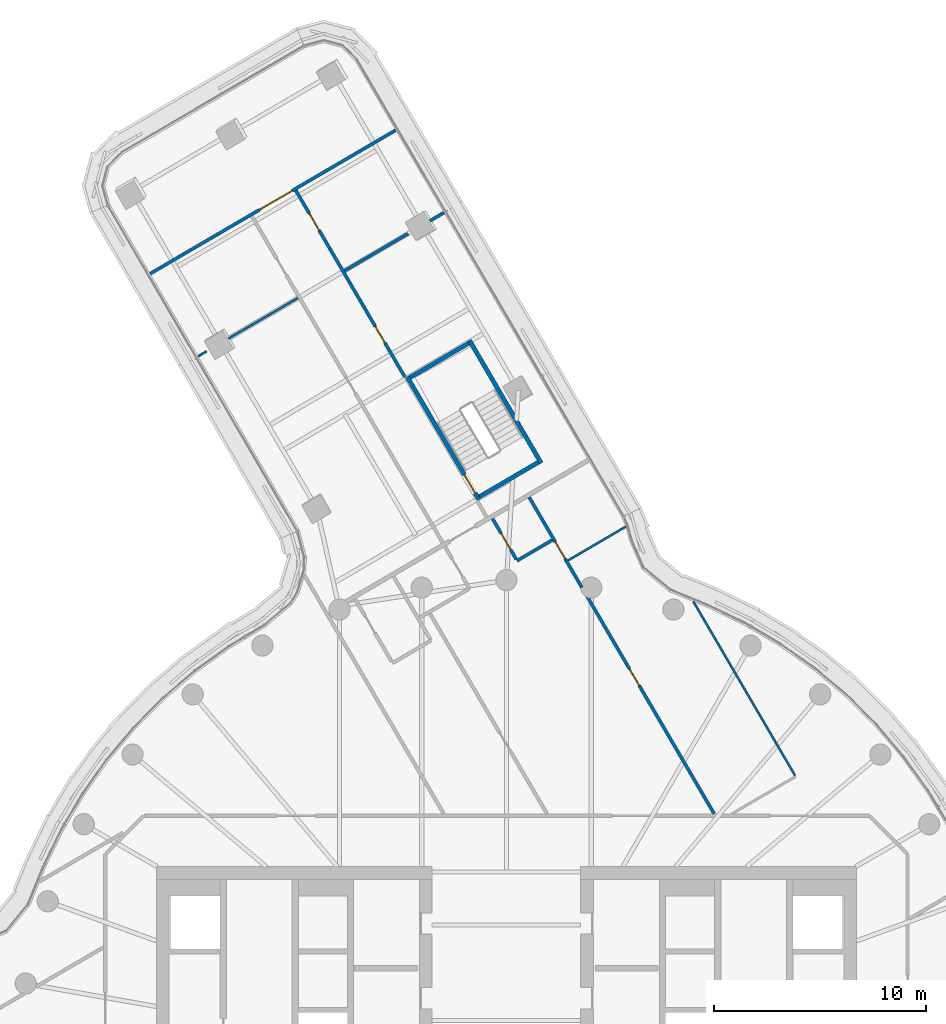
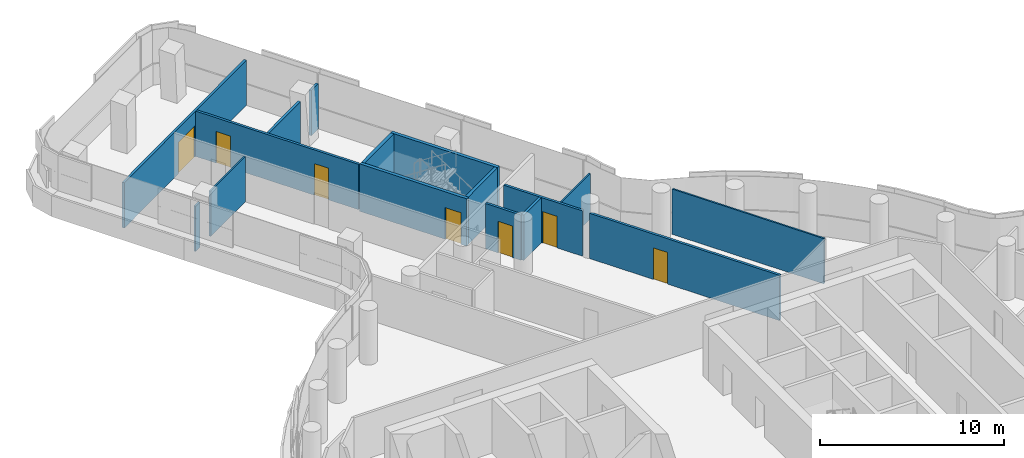
# One storey, part 25 of 35: 16 walls, 7 doors, 7 openings.
"""IFC4 building model written with IfcOpenShell, lengths in metres."""

from ifc_helpers import new_model, si_unit, direction, frame, frame_2d, origin, place, context, subcontext, project, spatial, polyline, rectangle, outline, extrude, material, layer, layer_set, type_object, element, fill, save


model = new_model("IFC4")

# Units and contexts
model_context = context("Model", 3, precision=1e-05, world=origin(), true_north=direction((0.0, 1.0)))
body_context = subcontext(model_context, "Body", "Model", "MODEL_VIEW")
ifc_project = project(units=[si_unit("LENGTHUNIT", "METRE"), si_unit("AREAUNIT", "SQUARE_METRE"), si_unit("VOLUMEUNIT", "CUBIC_METRE"), si_unit("PLANEANGLEUNIT", "RADIAN"), si_unit("MASSUNIT", "GRAM", prefix="KILO")], contexts=[model_context])

# Site, building, storey
site_placement = place(None, origin())
site = spatial("IfcSite", under=ifc_project, at=site_placement, CompositionType="ELEMENT")
building_placement = place(site_placement, origin())
building = spatial("IfcBuilding", under=site, at=building_placement, Name="Tamarind Cross Interchange Tower", CompositionType="ELEMENT")
storey_placement = place(building_placement, frame((0.0, 0.0, 144.25)))
storey = spatial("IfcBuildingStorey", under=building, at=storey_placement, Name="L35", CompositionType="ELEMENT", Elevation=144.25)

# Walls
ifc_material_1 = material(Name="Gypsum board partition on steel studs", Category="steel")
ifc_layer_1 = layer(ifc_material_1, 0.10009765625)
ifc_layer_set_1 = layer_set([ifc_layer_1], Name="Gypsum board partition on steel studs")
wall_type_1 = type_object("IfcWallType", Name="Partition 100 mm EI 90", PredefinedType="PARTITIONING", material=ifc_layer_set_1)
wall_1_placement = place(storey_placement, frame((8.806884765625, 21.99267578125, 0.0), z_axis=(0.0, 0.0, 1.0), x_axis=(0.50451801346, -0.863401166373, 0.0)))
element("IfcWall", 1, at=wall_1_placement, inside=storey, type_object=wall_type_1, Name="Partition L35-029", PredefinedType="PARTITIONING", context=body_context, shape_type="SweptSolid", body=[
    extrude(rectangle(XDim=9.5, YDim=0.10009765625, at=frame_2d((4.75, 0.0))), origin(), (0.0, 0.0, 1.0), 3.010009765625),
])
wall_2_placement = place(storey_placement, frame((-14.527099609375, 33.548583984375, 0.0), z_axis=(0.0, 0.0, 1.0), x_axis=(0.863491436222, 0.504363499444, 0.0)))
element("IfcWall", 2, at=wall_2_placement, inside=storey, type_object=wall_type_1, Name="Partition L35-048", PredefinedType="PARTITIONING", context=body_context, shape_type="SweptSolid", body=[
    extrude(rectangle(XDim=0.462158203125, YDim=0.10009765625, at=frame_2d((0.23095703125, 0.0))), origin(), (0.0, 0.0, 1.0), 3.010009765625),
])
wall_3_placement = place(storey_placement, frame((-13.098388671875, 34.38330078125, 0.0), z_axis=(0.0, 0.0, 1.0), x_axis=(0.863470053111, 0.504400106443, 0.0)))
element("IfcWall", 3, at=wall_3_placement, inside=storey, type_object=wall_type_1, Name="Partition L35-049", PredefinedType="PARTITIONING", context=body_context, shape_type="SweptSolid", body=[
    extrude(rectangle(XDim=3.78662109375, YDim=0.10009765625, at=frame_2d((1.893310546875, 0.0))), origin(), (0.0, 0.0, 1.0), 3.010009765625),
])
wall_4_placement = place(storey_placement, frame((2.8984375, 23.927978515625, 0.0), z_axis=(0.0, 0.0, 1.0), x_axis=(0.863257448542, 0.504763882955, 0.0)))
element("IfcWall", 4, at=wall_4_placement, inside=storey, type_object=wall_type_1, Name="Partition L35-055", PredefinedType="PARTITIONING", context=body_context, shape_type="SweptSolid", body=[
    extrude(rectangle(XDim=3.161376953125, YDim=0.10009765625, at=frame_2d((1.58056640625, 0.0))), origin(), (0.0, 0.0, 1.0), 3.010009765625),
])

# Wall, openings, doors
ifc_layer_2 = layer(ifc_material_1, 0.14990234375)
ifc_layer_set_2 = layer_set([ifc_layer_2], Name="Gypsum board partition on steel studs")
wall_type_2 = type_object("IfcWallType", Name="Partition 150 mm EI 120", PredefinedType="PARTITIONING", material=ifc_layer_set_2)
wall_5_placement = place(storey_placement, frame((-9.92431640625, 41.36328125, 0.0), z_axis=(0.0, 0.0, 1.0), x_axis=(0.504499799147, -0.863411809429, 0.0)))
wall_5 = element("IfcWall", 5, at=wall_5_placement, inside=storey, type_object=wall_type_2, Name="Partition L35-012", PredefinedType="PARTITIONING", context=body_context, shape_type="SweptSolid", body=[
    extrude(rectangle(XDim=10.185791015625, YDim=0.14990234375, at=frame_2d((5.0927734375, 0.0))), origin(), (0.0, 0.0, 1.0), 3.010009765625),
])
opening_1_placement = place(wall_5_placement, frame((1.27490234375, 0.0, 0.0)))
opening_1 = element("IfcOpeningElement", 6, at=opening_1_placement, cuts=wall_5, Name="Opening D06", PredefinedType="OPENING", context=body_context, shape_type="SweptSolid", body=[
    extrude(rectangle(XDim=0.89990234375, YDim=2.10009765625, at=frame_2d((0.449951171875, 1.050048828125))), frame((0.0, 0.0849609375, 0.0), z_axis=(0.0, -1.0, 0.0), x_axis=(1.0, 0.0, 0.0)), (0.0, 0.0, 1.0), 0.169921875),
])
opening_2_placement = place(wall_5_placement, frame((7.42529296875, 0.0, 0.0)))
opening_2 = element("IfcOpeningElement", 7, at=opening_2_placement, cuts=wall_5, Name="Opening D07", PredefinedType="OPENING", context=body_context, shape_type="SweptSolid", body=[
    extrude(rectangle(XDim=0.89990234375, YDim=2.10009765625, at=frame_2d((0.449951171875, 1.050048828125))), frame((0.0, 0.0849609375, 0.0), z_axis=(0.0, -1.0, 0.0), x_axis=(1.0, 0.0, 0.0)), (0.0, 0.0, 1.0), 0.169921875),
])
ifc_material_2 = material(Name="Fire-resisting door set")
door_type_1 = type_object("IfcDoorType", Name="Interior door 900 x 2100 FD60S", OperationType="SINGLE_SWING_LEFT", PredefinedType="DOOR", material=ifc_material_2)
door_1_placement = place(opening_1_placement, origin())
door_1 = element("IfcDoor", 8, at=door_1_placement, inside=storey, type_object=door_type_1, Name="Door D06", OperationType="SINGLE_SWING_RIGHT", OverallHeight=2.10009765625, OverallWidth=0.89990234375, PredefinedType="DOOR", context=body_context, shape_type="SweptSolid", body=[
    extrude(rectangle(XDim=0.89990234375, YDim=2.10009765625, at=frame_2d((0.449951171875, 1.050048828125))), frame((0.0, 0.02490234375, 0.0), z_axis=(0.0, -1.0, 0.0), x_axis=(1.0, 0.0, 0.0)), (0.0, 0.0, 1.0), 0.050048828125),
])
fill(opening_1, door_1)
door_2_placement = place(opening_2_placement, origin())
door_2 = element("IfcDoor", 9, at=door_2_placement, inside=storey, type_object=door_type_1, Name="Door D07", OperationType="SINGLE_SWING_LEFT", OverallHeight=2.10009765625, OverallWidth=0.89990234375, PredefinedType="DOOR", context=body_context, shape_type="SweptSolid", body=[
    extrude(rectangle(XDim=0.89990234375, YDim=2.10009765625, at=frame_2d((0.449951171875, 1.050048828125))), frame((0.0, 0.02490234375, 0.0), z_axis=(0.0, -1.0, 0.0), x_axis=(1.0, 0.0, 0.0)), (0.0, 0.0, 1.0), 0.050048828125),
])
fill(opening_2, door_2)

# Wall, opening, door
wall_6_placement = place(storey_placement, frame((-0.655029296875, 25.896240234375, 0.0), z_axis=(0.0, 0.0, 1.0), x_axis=(0.504309698345, -0.863522859081, 0.0)))
wall_6 = element("IfcWall", 10, at=wall_6_placement, inside=storey, type_object=wall_type_2, Name="Partition L35-022", PredefinedType="PARTITIONING", context=body_context, shape_type="SweptSolid", body=[
    extrude(rectangle(XDim=2.21435546875, YDim=0.14990234375, at=frame_2d((1.107177734375, 0.0))), origin(), (0.0, 0.0, 1.0), 3.010009765625),
])
opening_3_placement = place(wall_6_placement, frame((0.794921875, 0.0, 0.0)))
opening_3 = element("IfcOpeningElement", 11, at=opening_3_placement, cuts=wall_6, Name="Opening D12", PredefinedType="OPENING", context=body_context, shape_type="SweptSolid", body=[
    extrude(rectangle(XDim=0.89990234375, YDim=2.10009765625, at=frame_2d((0.449951171875, 1.050048828125))), frame((0.0, 0.0849609375, 0.0), z_axis=(0.0, -1.0, 0.0), x_axis=(1.0, 0.0, 0.0)), (0.0, 0.0, 1.0), 0.169921875),
])
door_3_placement = place(opening_3_placement, origin())
door_3 = element("IfcDoor", 12, at=door_3_placement, inside=storey, type_object=door_type_1, Name="Door D12", OperationType="SINGLE_SWING_LEFT", OverallHeight=2.10009765625, OverallWidth=0.89990234375, PredefinedType="DOOR", context=body_context, shape_type="SweptSolid", body=[
    extrude(rectangle(XDim=0.89990234375, YDim=2.10009765625, at=frame_2d((0.449951171875, 1.050048828125))), frame((0.0, 0.02490234375, 0.0), z_axis=(0.0, -1.0, 0.0), x_axis=(1.0, 0.0, 0.0)), (0.0, 0.0, 1.0), 0.050048828125),
])
fill(opening_3, door_3)

wall_7_placement = place(storey_placement, frame((1.071044921875, 26.9052734375, 0.0), z_axis=(0.0, 0.0, 1.0), x_axis=(0.504601624958, -0.863352303576, 0.0)))
wall_7 = element("IfcWall", 13, at=wall_7_placement, inside=storey, type_object=wall_type_2, Name="Partition L35-025", PredefinedType="PARTITIONING", context=body_context, shape_type="SweptSolid", body=[
    extrude(rectangle(XDim=4.9228515625, YDim=0.14990234375, at=frame_2d((2.46142578125, 0.0))), origin(), (0.0, 0.0, 1.0), 3.010009765625),
])
opening_4_placement = place(wall_7_placement, frame((2.44482421875, 0.0, 0.0)))
opening_4 = element("IfcOpeningElement", 14, at=opening_4_placement, cuts=wall_7, Name="Opening D14", PredefinedType="OPENING", context=body_context, shape_type="SweptSolid", body=[
    extrude(rectangle(XDim=0.89990234375, YDim=2.10009765625, at=frame_2d((0.449951171875, 1.050048828125))), frame((0.0, 0.0849609375, 0.0), z_axis=(0.0, -1.0, 0.0), x_axis=(1.0, 0.0, 0.0)), (0.0, 0.0, 1.0), 0.169921875),
])
door_4_placement = place(opening_4_placement, origin())
door_4 = element("IfcDoor", 15, at=door_4_placement, inside=storey, type_object=door_type_1, Name="Door D14", OperationType="SINGLE_SWING_LEFT", OverallHeight=2.10009765625, OverallWidth=0.89990234375, PredefinedType="DOOR", context=body_context, shape_type="SweptSolid", body=[
    extrude(rectangle(XDim=0.89990234375, YDim=2.10009765625, at=frame_2d((0.449951171875, 1.050048828125))), frame((0.0, 0.02490234375, 0.0), z_axis=(0.0, -1.0, 0.0), x_axis=(1.0, 0.0, 0.0)), (0.0, 0.0, 1.0), 0.050048828125),
])
fill(opening_4, door_4)

wall_8_placement = place(storey_placement, frame((3.7822265625, 22.2666015625, 0.0), z_axis=(0.0, 0.0, 1.0), x_axis=(0.504584110855, -0.863362539767, 0.0)))
wall_8 = element("IfcWall", 16, at=wall_8_placement, inside=storey, type_object=wall_type_2, Name="Partition L35-026", PredefinedType="PARTITIONING", context=body_context, shape_type="SweptSolid", body=[
    extrude(rectangle(XDim=11.896728515625, YDim=0.14990234375, at=frame_2d((5.9482421875, 0.0))), origin(), (0.0, 0.0, 1.0), 3.010009765625),
])
opening_5_placement = place(wall_8_placement, frame((3.9951171875, 0.0, 0.0)))
opening_5 = element("IfcOpeningElement", 17, at=opening_5_placement, cuts=wall_8, Name="Opening D15", PredefinedType="OPENING", context=body_context, shape_type="SweptSolid", body=[
    extrude(rectangle(XDim=0.89990234375, YDim=2.10009765625, at=frame_2d((0.449951171875, 1.050048828125))), frame((0.0, 0.0849609375, 0.0), z_axis=(0.0, -1.0, 0.0), x_axis=(1.0, 0.0, 0.0)), (0.0, 0.0, 1.0), 0.169921875),
])
door_5_placement = place(opening_5_placement, origin())
door_5 = element("IfcDoor", 18, at=door_5_placement, inside=storey, type_object=door_type_1, Name="Door D15", OperationType="SINGLE_SWING_RIGHT", OverallHeight=2.10009765625, OverallWidth=0.89990234375, PredefinedType="DOOR", context=body_context, shape_type="SweptSolid", body=[
    extrude(rectangle(XDim=0.89990234375, YDim=2.10009765625, at=frame_2d((0.449951171875, 1.050048828125))), frame((0.0, 0.02490234375, 0.0), z_axis=(0.0, -1.0, 0.0), x_axis=(1.0, 0.0, 0.0)), (0.0, 0.0, 1.0), 0.050048828125),
])
fill(opening_5, door_5)

wall_9_placement = place(storey_placement, frame((-16.789306640625, 37.4384765625, 0.0), z_axis=(0.0, 0.0, 1.0), x_axis=(0.863363804542, 0.50458194677, 0.0)))
wall_9 = element("IfcWall", 19, at=wall_9_placement, inside=storey, type_object=wall_type_2, Name="Partition L35-047", PredefinedType="PARTITIONING", context=body_context, shape_type="SweptSolid", body=[
    extrude(rectangle(XDim=13.406005859375, YDim=0.14990234375, at=frame_2d((6.703125, 0.0))), origin(), (0.0, 0.0, 1.0), 3.010009765625),
])
opening_6_placement = place(wall_9_placement, frame((5.956787109375, 0.0, 0.0)))
opening_6 = element("IfcOpeningElement", 20, at=opening_6_placement, cuts=wall_9, Name="Opening D33", PredefinedType="OPENING", context=body_context, shape_type="SweptSolid", body=[
    extrude(rectangle(XDim=1.800048828125, YDim=2.10009765625, at=frame_2d((0.89990234375, 1.050048828125))), frame((0.0, 0.0849609375, 0.0), z_axis=(0.0, -1.0, 0.0), x_axis=(1.0, 0.0, 0.0)), (0.0, 0.0, 1.0), 0.169921875),
])
door_type_2 = type_object("IfcDoorType", Name="Interior door 1800 x 2100 FD60S", OperationType="DOUBLE_DOOR_SINGLE_SWING", PredefinedType="DOOR", material=ifc_material_2)
door_6_placement = place(opening_6_placement, origin())
door_6 = element("IfcDoor", 21, at=door_6_placement, inside=storey, type_object=door_type_2, Name="Door D33", OperationType="DOUBLE_DOOR_SINGLE_SWING", OverallHeight=2.10009765625, OverallWidth=1.800048828125, PredefinedType="DOOR", context=body_context, shape_type="SweptSolid", body=[
    extrude(rectangle(XDim=1.800048828125, YDim=2.10009765625, at=frame_2d((0.89990234375, 1.050048828125))), frame((0.0, 0.02490234375, 0.0), z_axis=(0.0, -1.0, 0.0), x_axis=(1.0, 0.0, 0.0)), (0.0, 0.0, 1.0), 0.050048828125),
])
fill(opening_6, door_6)

# Walls
wall_10_placement = place(storey_placement, frame((-7.622802734375, 37.581787109375, 0.0), z_axis=(0.0, 0.0, 1.0), x_axis=(0.863474737592, 0.504392087111, 0.0)))
element("IfcWall", 22, at=wall_10_placement, inside=storey, type_object=wall_type_2, Name="Partition L35-050", PredefinedType="PARTITIONING", context=body_context, shape_type="SweptSolid", body=[
    extrude(rectangle(XDim=3.466064453125, YDim=0.14990234375, at=frame_2d((1.73291015625, 0.0))), origin(), (0.0, 0.0, 1.0), 3.010009765625),
])
wall_11_placement = place(storey_placement, frame((-3.599609375, 39.931884765625, 0.0), z_axis=(0.0, 0.0, 1.0), x_axis=(0.863277411314, 0.504729740668, 0.0)))
element("IfcWall", 23, at=wall_11_placement, inside=storey, type_object=wall_type_2, Name="Partition L35-051", PredefinedType="PARTITIONING", context=body_context, shape_type="SweptSolid", body=[
    extrude(rectangle(XDim=0.760009765625, YDim=0.14990234375, at=frame_2d((0.3798828125, 0.0))), origin(), (0.0, 0.0, 1.0), 3.010009765625),
])
wall_12_placement = place(storey_placement, frame((0.500732421875, 23.917236328125, 0.0), z_axis=(0.0, 0.0, 1.0), x_axis=(0.863125028345, 0.504990282525, 0.0)))
element("IfcWall", 24, at=wall_12_placement, inside=storey, type_object=wall_type_2, Name="Partition L35-057", PredefinedType="PARTITIONING", context=body_context, shape_type="SweptSolid", body=[
    extrude(rectangle(XDim=1.925048828125, YDim=0.14990234375, at=frame_2d((0.96240234375, 0.0))), origin(), (0.0, 0.0, 1.0), 3.010009765625),
])

# Wall, opening, door
ifc_material_3 = material(Name="Concrete C40", Category="concrete")
ifc_layer_3 = layer(ifc_material_3, 0.199951171875)
ifc_layer_set_3 = layer_set([ifc_layer_3], Name="Concrete C40")
wall_type_3 = type_object("IfcWallType", Name="Stair shaft wall 200 mm Concrete C40", PredefinedType="SHEAR", material=ifc_layer_set_3)
wall_13_placement = place(storey_placement, frame((-1.29931640625, 26.80029296875, -0.139892578125), z_axis=(0.0, 0.0, 1.0), x_axis=(-0.504509812418, 0.8634059585, 0.0)))
wall_13 = element("IfcWall", 25, at=wall_13_placement, inside=storey, type_object=wall_type_3, Name="Core wall CWL-L35-ST4-H", PredefinedType="SHEAR", context=body_context, shape_type="SweptSolid", body=[
    extrude(rectangle(XDim=6.69970703125, YDim=0.199951171875, at=frame_2d((3.349853515625, 0.0))), origin(), (0.0, 0.0, 1.0), 3.14990234375),
])
opening_7_placement = place(wall_13_placement, frame((0.35009765625, 0.0, 0.0)))
opening_7 = element("IfcOpeningElement", 26, at=opening_7_placement, cuts=wall_13, Name="Opening ST4L35", PredefinedType="OPENING", context=body_context, shape_type="SweptSolid", body=[
    extrude(rectangle(XDim=1.0, YDim=2.10009765625, at=frame_2d((0.5, 1.050048828125))), frame((0.0, 0.10986328125, 0.0), z_axis=(0.0, -1.0, 0.0), x_axis=(1.0, 0.0, 0.0)), (0.0, 0.0, 1.0), 0.219970703125),
])
ifc_material_4 = material(Name="Steel, fire-resisting", Category="steel")
door_type_3 = type_object("IfcDoorType", Name="Core fire door 1000 x 2100 FD90", OperationType="SINGLE_SWING_LEFT", PredefinedType="DOOR", material=ifc_material_4)
door_7_placement = place(opening_7_placement, origin())
door_7 = element("IfcDoor", 27, at=door_7_placement, inside=storey, type_object=door_type_3, Name="L35 stair door ST4", OperationType="SINGLE_SWING_LEFT", OverallHeight=2.10009765625, OverallWidth=1.0, PredefinedType="DOOR", context=body_context, shape_type="SweptSolid", body=[
    extrude(rectangle(XDim=1.0, YDim=2.10009765625, at=frame_2d((0.5, 1.050048828125))), frame((0.0, 0.02490234375, 0.0), z_axis=(0.0, -1.0, 0.0), x_axis=(1.0, 0.0, 0.0)), (0.0, 0.0, 1.0), 0.050048828125),
])
fill(opening_7, door_7)

# Walls
wall_14_placement = place(storey_placement, frame((1.63623046875, 28.515625, -0.139892578125), z_axis=(0.0, 0.0, 1.0), x_axis=(-0.504509812418, 0.8634059585, 0.0)))
element("IfcWall", 28, at=wall_14_placement, inside=storey, type_object=wall_type_3, Name="Core wall CWL-L35-ST4-C", PredefinedType="SHEAR", context=body_context, shape_type="SweptSolid", body=[
    extrude(rectangle(XDim=6.69970703125, YDim=0.199951171875, at=frame_2d((3.349853515625, 0.0))), origin(), (0.0, 0.0, 1.0), 3.14990234375),
])
wall_15_placement = place(storey_placement, frame((1.49951171875, 28.551513671875, -0.139892578125), z_axis=(0.0, 0.0, 1.0), x_axis=(-0.863399566887, -0.504520750713, 0.0)))
element("IfcWall", 29, at=wall_15_placement, inside=storey, type_object=wall_type_3, Name="Core wall CWL-L35-ST4-CE", PredefinedType="SHEAR", context=body_context, shape_type="SweptSolid", body=[
    extrude(rectangle(XDim=3.199951171875, YDim=0.199951171875, at=frame_2d((1.60009765625, 0.0))), origin(), (0.0, 0.0, 1.0), 3.14990234375),
])
wall_16_placement = place(storey_placement, frame((0.0, 0.0, -0.139892578125)))
element("IfcWall", 30, at=wall_16_placement, inside=storey, type_object=wall_type_3, Name="Core wall CWL-L35-ST4-CF", PredefinedType="SHEAR", context=body_context, shape_type="SweptSolid", body=[
    extrude(outline(polyline([(-1.7294921875, 34.0771484375), (-1.830322265625, 34.25), (-4.59326171875, 32.635498046875), (-4.4921875, 32.462890625), (-1.7294921875, 34.0771484375)])), origin(), (0.0, 0.0, 1.0), 3.14990234375),
])

save(model, "model.ifc")
